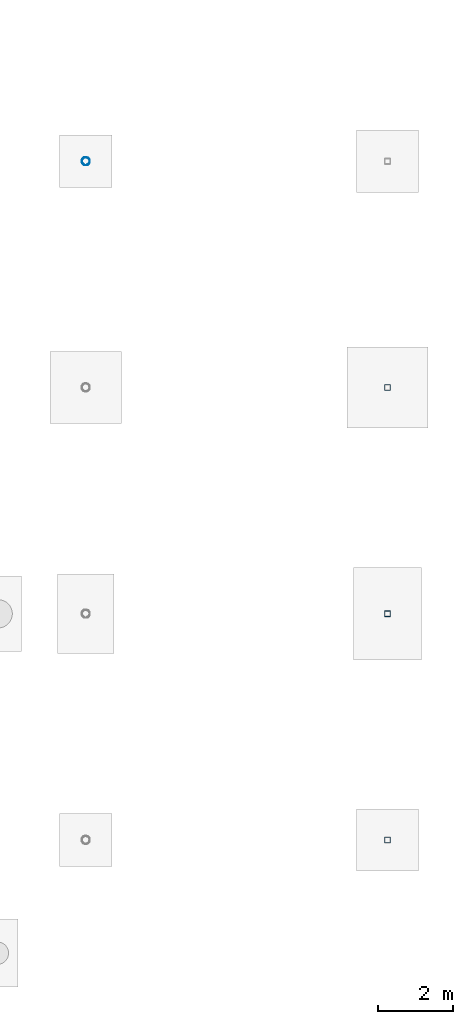
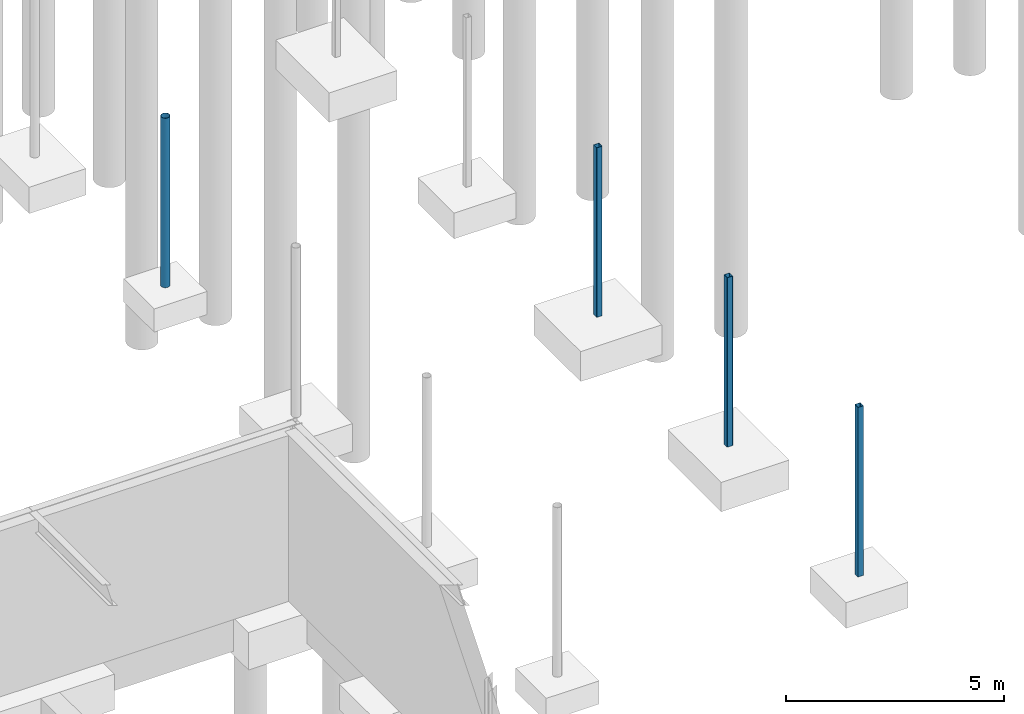
# One storey, part 27 of 75: 4 columns.
"""IFC4 building model written with IfcOpenShell, lengths in metres."""

import ifcopenshell
import ifcopenshell.guid

model = None  # the IFC model being written
_history = None  # IfcOwnerHistory: only IFC2X3 demands one
_inside = {}  # id of a spatial element -> (the spatial element, [elements in it])
_under = {}  # id of a project, library or spatial element -> (it, [spatial elements below it])
_declared = {}  # id of a project -> (the project, [libraries it declares])
_typed = {}  # id of a type object -> (the type object, [elements of that type])
_made_of = {}  # id of a material, layer set ... -> (it, [elements and type objects made of it])


def new_model(schema):
    """Start an empty IFC model of exactly this schema.

    Asked for "IFC4X3", IfcOpenShell would pick the latest addendum, in which some entities
    have other attributes; the version numbers below select the first issue.
    IFC2X3 requires an IfcOwnerHistory on every rooted entity: one is made here for all.
    """
    global model, _history
    if schema == "IFC4X3":
        model = ifcopenshell.file(schema_version=(4, 3, 0, 0))
    else:
        model = ifcopenshell.file(schema=schema)
    _inside.clear()
    _under.clear()
    _declared.clear()
    _typed.clear()
    _made_of.clear()
    _history = None
    if model.schema == "IFC2X3":
        org = make("IfcOrganization", Name="unknown")
        user = make(
            "IfcPersonAndOrganization",
            ThePerson=make("IfcPerson", FamilyName="unknown"),
            TheOrganization=org,
        )
        app = make(
            "IfcApplication",
            ApplicationDeveloper=org,
            Version="unknown",
            ApplicationFullName="unknown",
            ApplicationIdentifier="unknown",
        )
        _history = make(
            "IfcOwnerHistory",
            OwningUser=user,
            OwningApplication=app,
            ChangeAction="ADDED",
            CreationDate=0,
        )
    return model


def make(cls, **values):
    """One entity of the class cls with the attributes given. An attribute that is None is left unset."""
    return model.create_entity(
        cls, **{name: value for name, value in values.items() if value is not None}
    )


def rooted(cls, **values):
    """An entity with a GlobalId (a new one), such as an element, a storey or a relation."""
    return make(cls, GlobalId=ifcopenshell.guid.new(), OwnerHistory=_history, **values)


def si_unit(unit_type, name, prefix=None):
    """IfcSIUnit, for example si_unit("LENGTHUNIT", "METRE", prefix="MILLI")."""
    return make("IfcSIUnit", UnitType=unit_type, Prefix=prefix, Name=name)


def derived_unit(unit_type, elements):
    """IfcDerivedUnit: a product of units, each with its exponent."""
    return make(
        "IfcDerivedUnit",
        Elements=[
            make("IfcDerivedUnitElement", Unit=unit, Exponent=power)
            for unit, power in elements
        ],
        UnitType=unit_type,
    )


def assignment(units):
    """IfcUnitAssignment: the units of a project."""
    return None if units is None else make("IfcUnitAssignment", Units=units)


def point(xyz):
    """IfcCartesianPoint."""
    return None if xyz is None else make("IfcCartesianPoint", Coordinates=xyz)


def direction(xyz):
    """IfcDirection."""
    return None if xyz is None else make("IfcDirection", DirectionRatios=xyz)


def frame(location, z_axis=None, x_axis=None):
    """IfcAxis2Placement3D, a coordinate frame: its origin and axes. An axis left out is left unset."""
    return make(
        "IfcAxis2Placement3D",
        Location=point(location),
        Axis=direction(z_axis),
        RefDirection=direction(x_axis),
    )


def frame_2d(location, x_axis=None):
    """IfcAxis2Placement2D, a coordinate frame in the plane: its origin and x axis."""
    return make(
        "IfcAxis2Placement2D", Location=point(location), RefDirection=direction(x_axis)
    )


def origin():
    """The frame at (0, 0, 0) with its axes left unset."""
    return frame((0.0, 0.0, 0.0))


def origin_2d_with_axis():
    """The frame at (0, 0) in the plane with the x axis (1, 0) written out."""
    return frame_2d((0.0, 0.0), x_axis=(1.0, 0.0))


def place(relative_to, where):
    """IfcLocalPlacement: puts the frame where relative to a parent placement (None: the world)."""
    return make(
        "IfcLocalPlacement", PlacementRelTo=relative_to, RelativePlacement=where
    )


def context(
    kind, dimensions, precision=None, world=None, true_north=None, identifier=None
):
    """IfcGeometricRepresentationContext, for example the 3D "Model" context."""
    return make(
        "IfcGeometricRepresentationContext",
        ContextIdentifier=identifier,
        ContextType=kind,
        CoordinateSpaceDimension=dimensions,
        Precision=precision,
        WorldCoordinateSystem=world,
        TrueNorth=true_north,
    )


def subcontext(parent, identifier, kind, view, scale=None):
    """IfcGeometricRepresentationSubContext, for example "Body" below "Model"."""
    return make(
        "IfcGeometricRepresentationSubContext",
        ContextIdentifier=identifier,
        ContextType=kind,
        ParentContext=parent,
        TargetScale=scale,
        TargetView=view,
    )


def project(units=None, contexts=None):
    """IfcProject with its units and contexts."""
    return rooted(
        "IfcProject",
        Name="project",
        RepresentationContexts=contexts,
        UnitsInContext=assignment(units),
    )


def spatial(cls, under=None, at=None, **own):
    """A site, building, storey or space (cls), placed at a placement, below another one or the project."""
    s = rooted(cls, ObjectPlacement=at, **own)
    if under is not None:
        _under.setdefault(under.id(), (under, []))[1].append(s)
    return s


def profile(cls, at=None, kind="AREA", **sizes):
    """A parametric profile (cls). Its sizes go by their IFC names, for example OverallWidth=200.0."""
    return make(cls, ProfileType=kind, Position=at, **sizes)


def hollow_rectangle(**sizes):
    """IfcRectangleHollowProfileDef."""
    return profile("IfcRectangleHollowProfileDef", **sizes)


def hollow_circle(**sizes):
    """IfcCircleHollowProfileDef."""
    return profile("IfcCircleHollowProfileDef", **sizes)


def extrude(swept, where, along, depth):
    """IfcExtrudedAreaSolid: the profile swept, set in the frame where, extruded along a direction by depth."""
    return make(
        "IfcExtrudedAreaSolid",
        SweptArea=swept,
        Position=where,
        ExtrudedDirection=direction(along),
        Depth=depth,
    )


def shape(context_of_items, identifier, shape_type, items):
    """IfcShapeRepresentation: the items that make up one representation, for example the "Body"."""
    return make(
        "IfcShapeRepresentation",
        ContextOfItems=context_of_items,
        RepresentationIdentifier=identifier,
        RepresentationType=shape_type,
        Items=items,
    )


def material(Name=None, Category=None):
    """IfcMaterial."""
    return make("IfcMaterial", Name=Name, Category=Category)


def material_profile(
    of_material, cross_section, Name=None, Category=None, Priority=None
):
    """IfcMaterialProfile: a cross section and its material."""
    return make(
        "IfcMaterialProfile",
        Name=Name,
        Material=of_material,
        Profile=cross_section,
        Priority=Priority,
        Category=Category,
    )


def profile_set(profiles, Name=None, composite=None):
    """IfcMaterialProfileSet."""
    return make(
        "IfcMaterialProfileSet",
        Name=Name,
        MaterialProfiles=profiles,
        CompositeProfile=composite,
    )


def made_of(thing, what):
    """Note that an element or type object is made of a material, layer set ...; save() writes the relation."""
    if what is not None:
        _made_of.setdefault(what.id(), (what, []))[1].append(thing)
    return thing


def type_object(cls, material=None, **own):
    """A type object (cls), such as IfcWallType, which elements share."""
    return made_of(rooted(cls, **own), material)


def element(
    cls,
    number,
    at=None,
    inside=None,
    cuts=None,
    type_object=None,
    material=None,
    context=None,
    identifier="Body",
    shape_type=None,
    held_by="IfcProductDefinitionShape",
    body=None,
    shapes=None,
    **own,
):
    """One element of the class cls, such as IfcWall. Its Tag is "e" and its number.

    at: its placement. inside: the storey or other place that contains it. cuts: it is an
    opening in that element (IfcRelVoidsElement). A single representation is given by context,
    identifier, shape_type and body (its items); several are given by shapes. held_by: the class
    of the entity that holds the representations. save() writes the other relations.
    """
    e = rooted(cls, Tag="e%d" % number, ObjectPlacement=at, **own)
    if body is not None:
        shapes = [shape(context, identifier, shape_type, body)]
    if shapes is not None:
        e.Representation = make(held_by, Representations=shapes)
    if inside is not None:
        _inside.setdefault(inside.id(), (inside, []))[1].append(e)
    if cuts is not None:
        rooted(
            "IfcRelVoidsElement", RelatingBuildingElement=cuts, RelatedOpeningElement=e
        )
    if type_object is not None:
        _typed.setdefault(type_object.id(), (type_object, []))[1].append(e)
    return made_of(e, material)


def aggregate(whole, parts):
    """IfcRelAggregates: a whole, such as a stair, and the parts it consists of."""
    return rooted("IfcRelAggregates", RelatingObject=whole, RelatedObjects=parts)


def save(model, path):
    """Write the relations noted so far, then the file.

    IfcRelAggregates (storeys below a building ...), IfcRelContainedInSpatialStructure (elements
    in a storey), IfcRelDefinesByType, IfcRelAssociatesMaterial and IfcRelDeclares: one each for
    every whole, place, type object, material and project.
    """
    for whole, parts in _under.values():
        aggregate(whole, parts)
    for where, things in _inside.values():
        rooted(
            "IfcRelContainedInSpatialStructure",
            RelatedElements=things,
            RelatingStructure=where,
        )
    for kind, things in _typed.values():
        rooted("IfcRelDefinesByType", RelatedObjects=things, RelatingType=kind)
    for what, things in _made_of.values():
        rooted("IfcRelAssociatesMaterial", RelatedObjects=things, RelatingMaterial=what)
    for by, libraries in _declared.values():
        rooted("IfcRelDeclares", RelatingContext=by, RelatedDefinitions=libraries)
    model.write(path)


model = new_model("IFC4")

# Units and contexts
model_context = context("Model", 3, precision=1e-05, world=origin(), true_north=direction((0.0, 1.0)))
body_context = subcontext(model_context, "Body", "Model", "MODEL_VIEW")
ifc_project = project(units=[si_unit("LENGTHUNIT", "METRE"), si_unit("AREAUNIT", "SQUARE_METRE"), si_unit("VOLUMEUNIT", "CUBIC_METRE"), si_unit("PLANEANGLEUNIT", "RADIAN"), si_unit("MASSUNIT", "GRAM", prefix="KILO"), derived_unit("THERMALTRANSMITTANCEUNIT", [(si_unit("POWERUNIT", "WATT"), 1), (si_unit("LENGTHUNIT", "METRE"), -2), (si_unit("THERMODYNAMICTEMPERATUREUNIT", "KELVIN"), -1)])], contexts=[model_context])

# Site, building, storey
site_placement = place(None, origin())
site = spatial("IfcSite", under=ifc_project, at=site_placement, CompositionType="ELEMENT")
building_placement = place(site_placement, origin())
building = spatial("IfcBuilding", under=site, at=building_placement, Name="Cinnabar Yard Market Hall", CompositionType="ELEMENT")
storey_placement = place(building_placement, frame((0.0, 0.0, -4.5)))
storey = spatial("IfcBuildingStorey", under=building, at=storey_placement, Name="B1", CompositionType="ELEMENT", Elevation=-4.5)

# Columns
ifc_material_1 = material(Name="Spotted-gum glulam-clad steel Grade 350 (350 MPa)", Category="steel")
ifc_material_profile_1 = material_profile(ifc_material_1, hollow_circle(Radius=0.109619140625, WallThickness=0.00830078125, at=origin_2d_with_axis()), Name="219.1x8.2CHS")
ifc_profile_set_1 = profile_set([ifc_material_profile_1], Name="Spotted-gum glulam-clad steel Grade 350 (350 MPa)")
column_type_1 = type_object("IfcColumnType", Name="COL-C05", PredefinedType="COLUMN", material=ifc_profile_set_1)
column_placement = place(storey_placement, frame((55.5, 96.0, -0.449951171875), z_axis=(0.0, 0.0, 1.0), x_axis=(1.0, 0.0, 0.0)))
element("IfcColumn", 1, at=column_placement, inside=storey, type_object=column_type_1, Name="Passage Pier V5W-A4 B1", PredefinedType="COLUMN", context=body_context, shape_type="SweptSolid", body=[
    extrude(hollow_circle(Radius=0.109619140625, WallThickness=0.00830078125, at=origin_2d_with_axis()), origin(), (0.0, 0.0, 1.0), 4.75),
])
ifc_material_2 = material(Name="Cold-formed steel C350L0", Category="steel")
ifc_material_profile_2 = material_profile(ifc_material_2, hollow_rectangle(XDim=0.14990234375, YDim=0.14990234375, WallThickness=0.006103515625, InnerFilletRadius=0.006103515625, OuterFilletRadius=0.011962890625, at=origin_2d_with_axis()), Name="150x150x6.0SHS")
ifc_profile_set_2 = profile_set([ifc_material_profile_2], Name="Cold-formed steel C350L0")
column_type_2 = type_object("IfcColumnType", Name="COL-C16", PredefinedType="COLUMN", material=ifc_profile_set_2)
for number, where, z_axis, x_axis, name in (
    (2, (63.5, 78.0, -0.449951171875), (0.0, 0.0, 1.0), (1.0, 0.0, 0.0), "Passage Pier V5W-B1 B1"),
    (3, (63.5, 84.0, -0.449951171875), (0.0, 0.0, 1.0), (1.0, 0.0, 0.0), "Passage Pier V5W-B2 B1"),
    (4, (63.5, 90.0, -0.449951171875), (0.0, 0.0, 1.0), (1.0, 0.0, 0.0), "Passage Pier V5W-B3 B1"),
):
    element("IfcColumn", number, at=place(storey_placement, frame(where, z_axis=z_axis, x_axis=x_axis)), inside=storey, type_object=column_type_2, Name=name, PredefinedType="COLUMN", context=body_context, shape_type="SweptSolid", body=[
        extrude(hollow_rectangle(XDim=0.14990234375, YDim=0.14990234375, WallThickness=0.006103515625, InnerFilletRadius=0.006103515625, OuterFilletRadius=0.011962890625, at=origin_2d_with_axis()), origin(), (0.0, 0.0, 1.0), 4.75),
    ])

save(model, "model.ifc")
